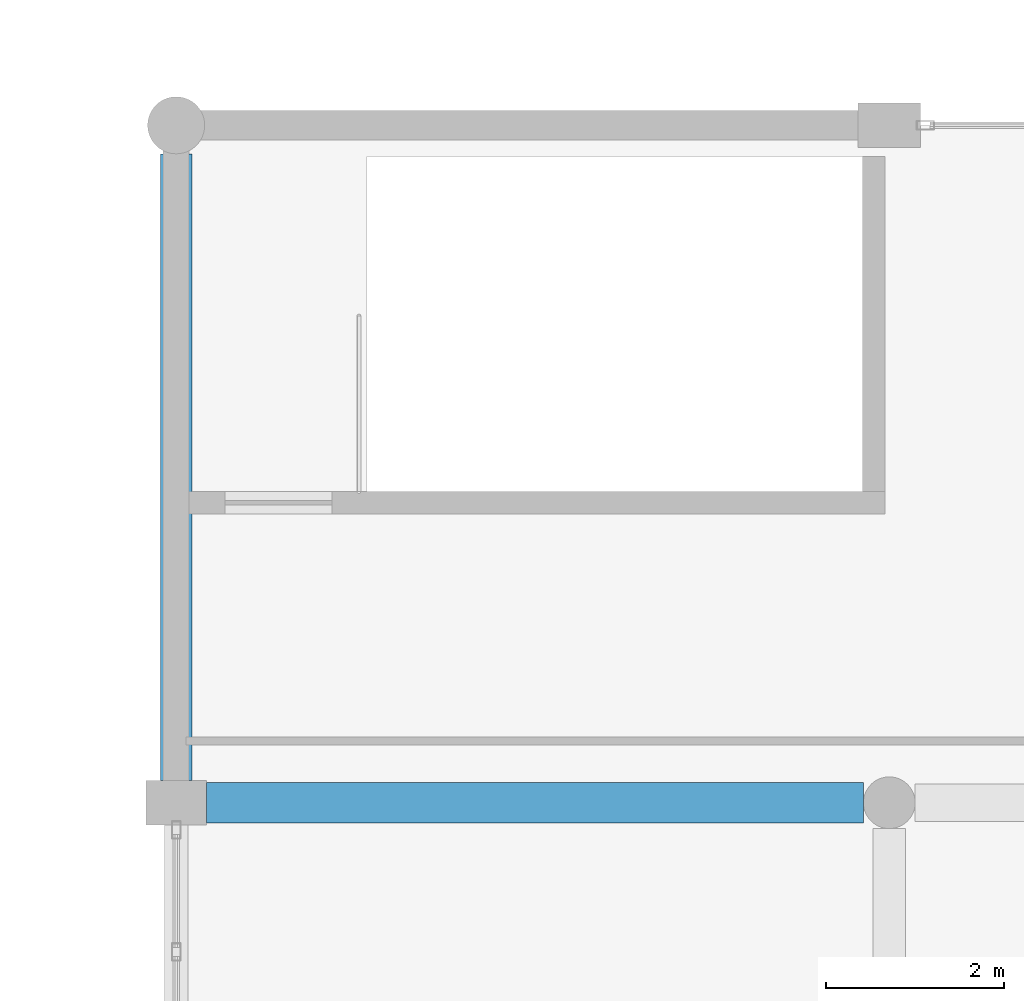
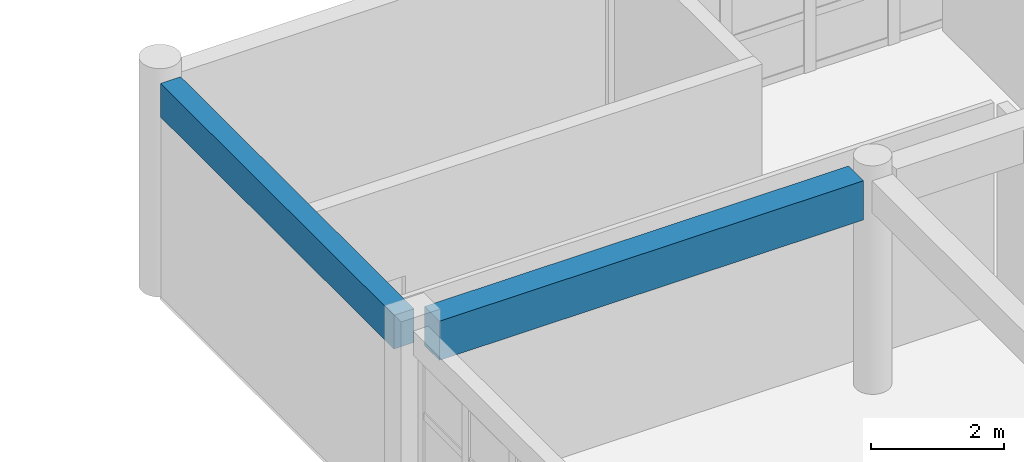
# One storey, part 45 of 121: 2 beams.
"""IFC4 building model written with IfcOpenShell, lengths in metres."""

from ifc_helpers import new_model, si_unit, direction, frame, origin, origin_2d, place, context, subcontext, project, spatial, rectangle, extrude, material, material_profile, profile_set, type_object, element, save


model = new_model("IFC4")

# Units and contexts
model_context = context("Model", 3, precision=1e-05, world=origin(), true_north=direction((0.0, 1.0)))
body_context = subcontext(model_context, "Body", "Model", "MODEL_VIEW")
ifc_project = project(units=[si_unit("LENGTHUNIT", "METRE"), si_unit("AREAUNIT", "SQUARE_METRE"), si_unit("VOLUMEUNIT", "CUBIC_METRE"), si_unit("PLANEANGLEUNIT", "RADIAN"), si_unit("MASSUNIT", "GRAM", prefix="KILO")], contexts=[model_context])

# Site, building, storey
site_placement = place(None, origin())
site = spatial("IfcSite", under=ifc_project, at=site_placement, CompositionType="ELEMENT")
building_placement = place(site_placement, origin())
building = spatial("IfcBuilding", under=site, at=building_placement, Name="Kharva Crest Polytechnic", CompositionType="ELEMENT")
storey_placement = place(building_placement, frame((0.0, 0.0, 13.199951171875)))
storey = spatial("IfcBuildingStorey", under=building, at=storey_placement, Name="L03", CompositionType="ELEMENT", Elevation=13.199951171875)

# Beams
ifc_material = material(Name="Concrete C35/45", Category="concrete")
ifc_material_profile_1 = material_profile(ifc_material, rectangle(XDim=0.449951171875, YDim=0.719970703125, at=origin_2d()), Name="RECT 450 X 720")
ifc_profile_set_1 = profile_set([ifc_material_profile_1], Name="Concrete C35/45")
beam_type_1 = type_object("IfcBeamType", Name="BM-RC-450X720", PredefinedType="BEAM", material=ifc_profile_set_1)
beam_1_placement = place(storey_placement, frame((121.139892578125, 22.800048828125, 3.60009765625), z_axis=(1.0, 0.0, 0.0), x_axis=(0.0, 1.0, 0.0)))
element("IfcBeam", 1, at=beam_1_placement, inside=storey, type_object=beam_type_1, Name="L03 Beam D/16J-17", PredefinedType="BEAM", context=body_context, shape_type="SweptSolid", body=[
    extrude(rectangle(XDim=0.449951171875, YDim=0.719970703125, at=origin_2d()), origin(), (0.0, 0.0, 1.0), 7.3701171875),
])
ifc_material_profile_2 = material_profile(ifc_material, rectangle(XDim=0.35009765625, YDim=0.6201171875, at=origin_2d()), Name="RECT 350 X 620")
ifc_profile_set_2 = profile_set([ifc_material_profile_2], Name="Concrete C35/45")
beam_type_2 = type_object("IfcBeamType", Name="SP-RC-350X620", PredefinedType="SPANDREL", material=ifc_profile_set_2)
beam_2_placement = place(storey_placement, frame((120.800048828125, 23.050048828125, 3.650146484375), z_axis=(0.0, 1.0, 0.0), x_axis=(-1.0, 0.0, 0.0)))
element("IfcBeam", 2, at=beam_2_placement, inside=storey, type_object=beam_type_2, Name="L03 Girder 16J/D-E", PredefinedType="SPANDREL", context=body_context, shape_type="SweptSolid", body=[
    extrude(rectangle(XDim=0.35009765625, YDim=0.6201171875, at=origin_2d()), origin(), (0.0, 0.0, 1.0), 7.030029296875),
])

save(model, "model.ifc")
